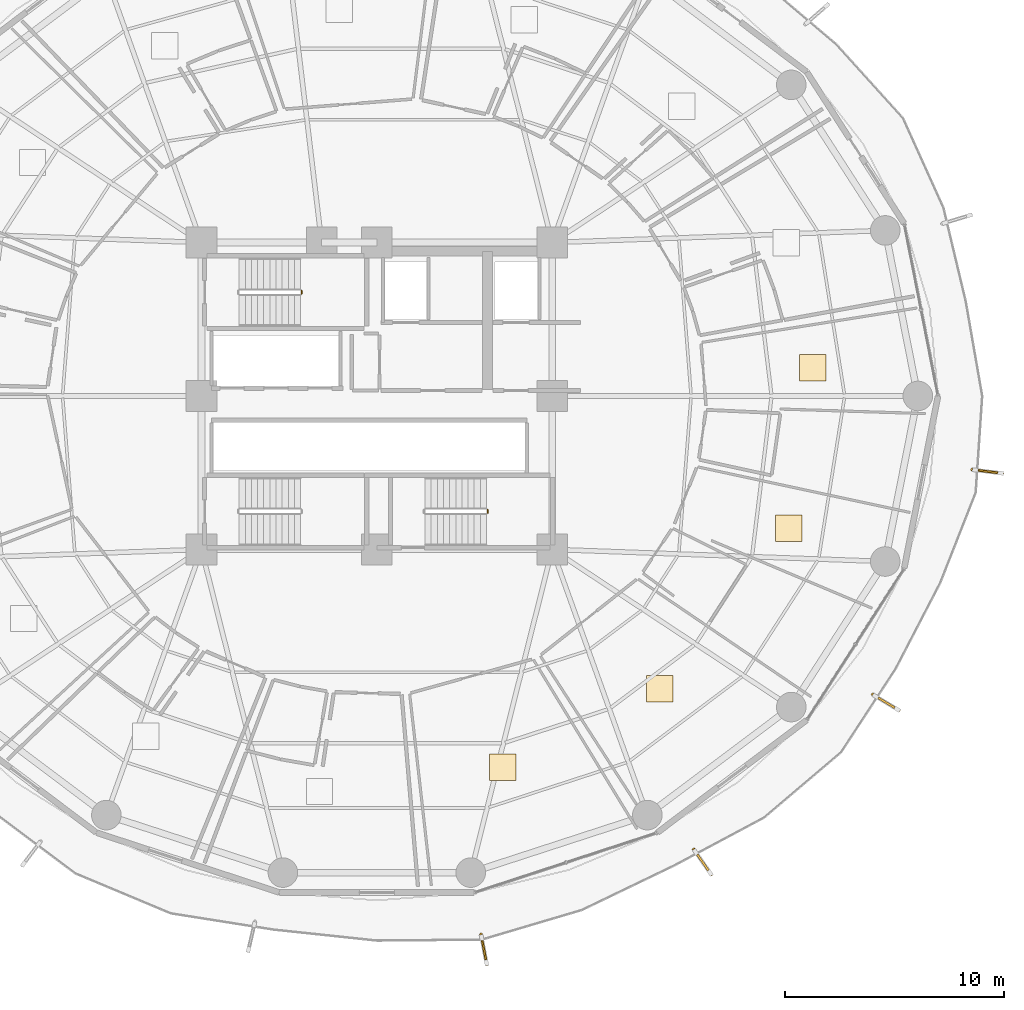
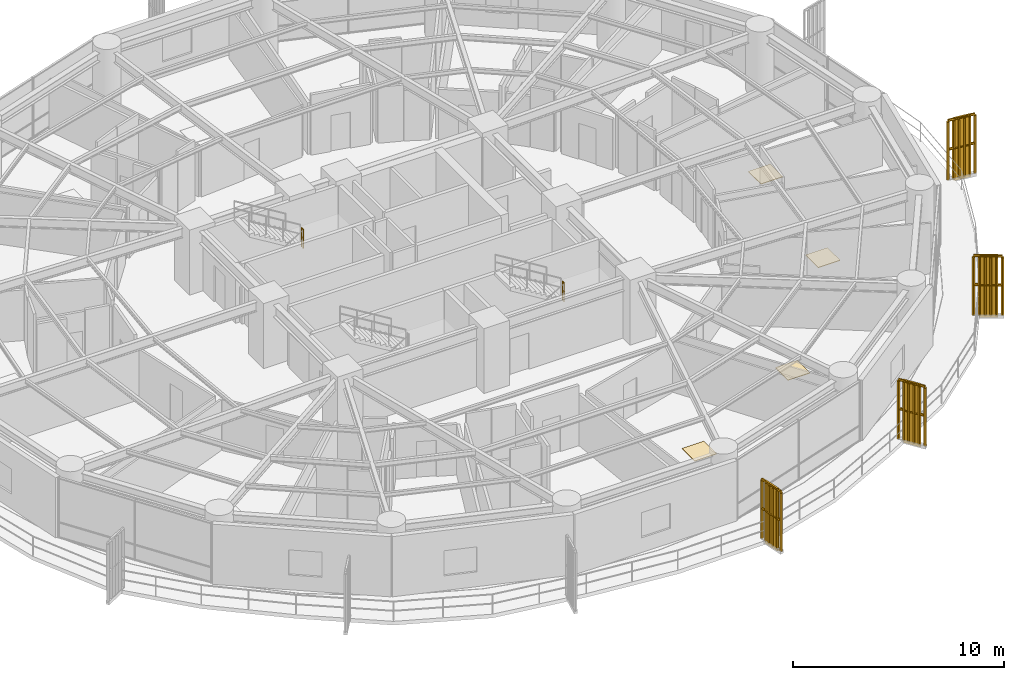
# One storey, part 32 of 33: 6 railings, 4 coverings, 4 shading devices.
"""IFC4 building model written with IfcOpenShell, lengths in metres."""

from ifc_helpers import new_model, si_unit, direction, frame, origin, origin_2d, place, context, subcontext, project, spatial, polyline, rectangle, outline, extrude, source, transform, mapped, material, layer, layer_set, type_object, element, save


model = new_model("IFC4")

# Units and contexts
model_context = context("Model", 3, precision=1e-05, world=origin(), true_north=direction((0.0, 1.0)))
body_context = subcontext(model_context, "Body", "Model", "MODEL_VIEW")
ifc_project = project(units=[si_unit("LENGTHUNIT", "METRE"), si_unit("AREAUNIT", "SQUARE_METRE"), si_unit("VOLUMEUNIT", "CUBIC_METRE"), si_unit("PLANEANGLEUNIT", "RADIAN"), si_unit("MASSUNIT", "GRAM", prefix="KILO")], contexts=[model_context])

# Site, building, storey
site_placement = place(None, origin())
site = spatial("IfcSite", under=ifc_project, at=site_placement, CompositionType="ELEMENT")
building_placement = place(site_placement, origin())
building = spatial("IfcBuilding", under=site, at=building_placement, Name="Kelanora Arch Commons", CompositionType="ELEMENT")
storey_placement = place(building_placement, frame((0.0, 0.0, 80.10009765625)))
storey = spatial("IfcBuildingStorey", under=building, at=storey_placement, Name="L20", CompositionType="ELEMENT", Elevation=80.10009765625)

# Railings
ifc_material_1 = material(Name="Anodised bronze vertical shading fin rib assembly")
railing_type_1 = type_object("IfcRailingType", Name="RAIL-FIN-BRZ", PredefinedType="BALUSTRADE", material=ifc_material_1)
railing_1_placement = place(storey_placement, frame((78.75390625, 33.42236328125, -0.02001953125)))
element("IfcRailing", 1, at=railing_1_placement, inside=storey, type_object=railing_type_1, Name="Sweeping Bronze Vertical Fin Blade L20-10", PredefinedType="BALUSTRADE", context=body_context, shape_type="SweptSolid", body=[
    extrude(outline(polyline([(0.06982421875, 0.0), (0.034912109375, 0.060546875), (-0.034912109375, 0.060546875), (-0.06982421875, 0.0), (-0.034912109375, -0.060546875), (0.034912109375, -0.060546875), (0.06982421875, 0.0)])), frame((0.0, 0.0, 3.419921875), z_axis=(0.189834344723, -0.981816134296, 0.0), x_axis=(0.981816134296, 0.189834344723, 0.0)), (0.0, 0.0, 1.0), 1.3759765625),
    extrude(outline(polyline([(0.06982421875, 0.0), (0.034912109375, 0.060546875), (-0.034912109375, 0.060546875), (-0.06982421875, 0.0), (-0.034912109375, -0.060546875), (0.034912109375, -0.060546875), (0.06982421875, 0.0)])), frame((0.0, 0.0, 1.7451171875), z_axis=(0.189834344723, -0.981816134296, 0.0), x_axis=(0.981816134296, 0.189834344723, 0.0)), (0.0, 0.0, 1.0), 1.3759765625),
    extrude(outline(polyline([(0.080078125, 0.0), (0.0400390625, 0.0693359375), (-0.0400390625, 0.0693359375), (-0.080078125, 0.0), (-0.0400390625, -0.0693359375), (0.0400390625, -0.0693359375), (0.080078125, 0.0)])), origin(), (0.0, 0.0, 1.0), 3.35009765625),
    extrude(outline(polyline([(0.080078125, 0.0), (0.0400390625, 0.0693359375), (-0.0400390625, 0.0693359375), (-0.080078125, 0.0), (-0.0400390625, -0.0693359375), (0.0400390625, -0.0693359375), (0.080078125, 0.0)])), frame((0.05224609375, -0.270263671875, 0.0)), (0.0, 0.0, 1.0), 3.35009765625),
    extrude(outline(polyline([(0.080078125, 0.0), (0.0400390625, 0.0693359375), (-0.0400390625, 0.0693359375), (-0.080078125, 0.0), (-0.0400390625, -0.0693359375), (0.0400390625, -0.0693359375), (0.080078125, 0.0)])), frame((0.1044921875, -0.54052734375, 0.0)), (0.0, 0.0, 1.0), 3.35009765625),
    extrude(outline(polyline([(0.080078125, 0.0), (0.0400390625, 0.0693359375), (-0.0400390625, 0.0693359375), (-0.080078125, 0.0), (-0.0400390625, -0.0693359375), (0.0400390625, -0.0693359375), (0.080078125, 0.0)])), frame((0.15673828125, -0.810546875, 0.0)), (0.0, 0.0, 1.0), 3.35009765625),
    extrude(outline(polyline([(0.080078125, 0.0), (0.0400390625, 0.0693359375), (-0.0400390625, 0.0693359375), (-0.080078125, 0.0), (-0.0400390625, -0.0693359375), (0.0400390625, -0.0693359375), (0.080078125, 0.0)])), frame((0.208984375, -1.080810546875, 0.0)), (0.0, 0.0, 1.0), 3.35009765625),
    extrude(outline(polyline([(0.080078125, 0.0), (0.0400390625, 0.0693359375), (-0.0400390625, 0.0693359375), (-0.080078125, 0.0), (-0.0400390625, -0.0693359375), (0.0400390625, -0.0693359375), (0.080078125, 0.0)])), frame((0.26123046875, -1.35107421875, 0.0)), (0.0, 0.0, 1.0), 3.35009765625),
])
railing_2_placement = place(storey_placement, frame((88.459228515625, 37.309326171875, -0.02001953125)))
element("IfcRailing", 2, at=railing_2_placement, inside=storey, type_object=railing_type_1, Name="Sweeping Bronze Vertical Fin Blade L20-11", PredefinedType="BALUSTRADE", context=body_context, shape_type="SweptSolid", body=[
    extrude(outline(polyline([(0.06982421875, 0.0), (0.034912109375, 0.060546875), (-0.034912109375, 0.060546875), (-0.06982421875, 0.0), (-0.034912109375, -0.060546875), (0.034912109375, -0.060546875), (0.06982421875, 0.0)])), frame((0.0, 0.0, 3.419921875), z_axis=(0.572866847019, -0.819648446339, 0.0), x_axis=(0.819648446339, 0.572866847019, 0.0)), (0.0, 0.0, 1.0), 1.376220703125),
    extrude(outline(polyline([(0.06982421875, 0.0), (0.034912109375, 0.060546875), (-0.034912109375, 0.060546875), (-0.06982421875, 0.0), (-0.034912109375, -0.060546875), (0.034912109375, -0.060546875), (0.06982421875, 0.0)])), frame((0.0, 0.0, 1.7451171875), z_axis=(0.572866847019, -0.819648446339, 0.0), x_axis=(0.819648446339, 0.572866847019, 0.0)), (0.0, 0.0, 1.0), 1.376220703125),
    extrude(outline(polyline([(0.080078125, 0.0), (0.0400390625, 0.0693359375), (-0.0400390625, 0.0693359375), (-0.080078125, 0.0), (-0.0400390625, -0.0693359375), (0.0400390625, -0.0693359375), (0.080078125, 0.0)])), origin(), (0.0, 0.0, 1.0), 3.35009765625),
    extrude(outline(polyline([(0.080078125, 0.0), (0.0400390625, 0.0693359375), (-0.0400390625, 0.0693359375), (-0.080078125, 0.0), (-0.0400390625, -0.0693359375), (0.0400390625, -0.0693359375), (0.080078125, 0.0)])), frame((0.15771484375, -0.2255859375, 0.0)), (0.0, 0.0, 1.0), 3.35009765625),
    extrude(outline(polyline([(0.080078125, 0.0), (0.0400390625, 0.0693359375), (-0.0400390625, 0.0693359375), (-0.080078125, 0.0), (-0.0400390625, -0.0693359375), (0.0400390625, -0.0693359375), (0.080078125, 0.0)])), frame((0.3154296875, -0.451171875, 0.0)), (0.0, 0.0, 1.0), 3.35009765625),
    extrude(outline(polyline([(0.080078125, 0.0), (0.0400390625, 0.0693359375), (-0.0400390625, 0.0693359375), (-0.080078125, 0.0), (-0.0400390625, -0.0693359375), (0.0400390625, -0.0693359375), (0.080078125, 0.0)])), frame((0.472900390625, -0.6767578125, 0.0)), (0.0, 0.0, 1.0), 3.35009765625),
    extrude(outline(polyline([(0.080078125, 0.0), (0.0400390625, 0.0693359375), (-0.0400390625, 0.0693359375), (-0.080078125, 0.0), (-0.0400390625, -0.0693359375), (0.0400390625, -0.0693359375), (0.080078125, 0.0)])), frame((0.630615234375, -0.90234375, 0.0)), (0.0, 0.0, 1.0), 3.35009765625),
    extrude(outline(polyline([(0.080078125, 0.0), (0.0400390625, 0.0693359375), (-0.0400390625, 0.0693359375), (-0.080078125, 0.0), (-0.0400390625, -0.0693359375), (0.0400390625, -0.0693359375), (0.080078125, 0.0)])), frame((0.788330078125, -1.1279296875, 0.0)), (0.0, 0.0, 1.0), 3.35009765625),
])
railing_3_placement = place(storey_placement, frame((96.62841796875, 44.375, -0.02001953125)))
element("IfcRailing", 3, at=railing_3_placement, inside=storey, type_object=railing_type_1, Name="Sweeping Bronze Vertical Fin Blade L20-12", PredefinedType="BALUSTRADE", context=body_context, shape_type="SweptSolid", body=[
    extrude(outline(polyline([(0.06982421875, 0.0), (0.034912109375, 0.060546875), (-0.034912109375, 0.060546875), (-0.06982421875, 0.0), (-0.034912109375, -0.060546875), (0.034912109375, -0.060546875), (0.06982421875, 0.0)])), frame((0.0, 0.0, 3.419921875), z_axis=(0.856662207395, -0.515877759185, 0.0), x_axis=(0.515877759185, 0.856662207395, 0.0)), (0.0, 0.0, 1.0), 1.376220703125),
    extrude(outline(polyline([(0.06982421875, 0.0), (0.034912109375, 0.060546875), (-0.034912109375, 0.060546875), (-0.06982421875, 0.0), (-0.034912109375, -0.060546875), (0.034912109375, -0.060546875), (0.06982421875, 0.0)])), frame((0.0, 0.0, 1.7451171875), z_axis=(0.856662207395, -0.515877759185, 0.0), x_axis=(0.515877759185, 0.856662207395, 0.0)), (0.0, 0.0, 1.0), 1.376220703125),
    extrude(outline(polyline([(0.080078125, 0.0), (0.0400390625, 0.0693359375), (-0.0400390625, 0.0693359375), (-0.080078125, 0.0), (-0.0400390625, -0.0693359375), (0.0400390625, -0.0693359375), (0.080078125, 0.0)])), origin(), (0.0, 0.0, 1.0), 3.35009765625),
    extrude(outline(polyline([(0.080078125, 0.0), (0.0400390625, 0.0693359375), (-0.0400390625, 0.0693359375), (-0.080078125, 0.0), (-0.0400390625, -0.0693359375), (0.0400390625, -0.0693359375), (0.080078125, 0.0)])), frame((0.23583984375, -0.14208984375, 0.0)), (0.0, 0.0, 1.0), 3.35009765625),
    extrude(outline(polyline([(0.080078125, 0.0), (0.0400390625, 0.0693359375), (-0.0400390625, 0.0693359375), (-0.080078125, 0.0), (-0.0400390625, -0.0693359375), (0.0400390625, -0.0693359375), (0.080078125, 0.0)])), frame((0.4716796875, -0.283935546875, 0.0)), (0.0, 0.0, 1.0), 3.35009765625),
    extrude(outline(polyline([(0.080078125, 0.0), (0.0400390625, 0.0693359375), (-0.0400390625, 0.0693359375), (-0.080078125, 0.0), (-0.0400390625, -0.0693359375), (0.0400390625, -0.0693359375), (0.080078125, 0.0)])), frame((0.707275390625, -0.426025390625, 0.0)), (0.0, 0.0, 1.0), 3.35009765625),
    extrude(outline(polyline([(0.080078125, 0.0), (0.0400390625, 0.0693359375), (-0.0400390625, 0.0693359375), (-0.080078125, 0.0), (-0.0400390625, -0.0693359375), (0.0400390625, -0.0693359375), (0.080078125, 0.0)])), frame((0.943115234375, -0.56787109375, 0.0)), (0.0, 0.0, 1.0), 3.35009765625),
    extrude(outline(polyline([(0.080078125, 0.0), (0.0400390625, 0.0693359375), (-0.0400390625, 0.0693359375), (-0.080078125, 0.0), (-0.0400390625, -0.0693359375), (0.0400390625, -0.0693359375), (0.080078125, 0.0)])), frame((1.178955078125, -0.7099609375, 0.0)), (0.0, 0.0, 1.0), 3.35009765625),
])
railing_4_placement = place(storey_placement, frame((101.164794921875, 54.63916015625, -0.02001953125)))
element("IfcRailing", 4, at=railing_4_placement, inside=storey, type_object=railing_type_1, Name="Sweeping Bronze Vertical Fin Blade L20-13", PredefinedType="BALUSTRADE", context=body_context, shape_type="SweptSolid", body=[
    extrude(outline(polyline([(0.06982421875, 0.0), (0.034912109375, 0.060546875), (-0.034912109375, 0.060546875), (-0.06982421875, 0.0), (-0.034912109375, -0.060546875), (0.034912109375, -0.060546875), (0.06982421875, 0.0)])), frame((0.0, 0.0, 3.419921875), z_axis=(0.992435373457, -0.122768194214, 0.0), x_axis=(0.122768194214, 0.992435373457, 0.0)), (0.0, 0.0, 1.0), 1.376220703125),
    extrude(outline(polyline([(0.06982421875, 0.0), (0.034912109375, 0.060546875), (-0.034912109375, 0.060546875), (-0.06982421875, 0.0), (-0.034912109375, -0.060546875), (0.034912109375, -0.060546875), (0.06982421875, 0.0)])), frame((0.0, 0.0, 1.7451171875), z_axis=(0.992435373457, -0.122768194214, 0.0), x_axis=(0.122768194214, 0.992435373457, 0.0)), (0.0, 0.0, 1.0), 1.376220703125),
    extrude(outline(polyline([(0.080078125, 0.0), (0.0400390625, 0.0693359375), (-0.0400390625, 0.0693359375), (-0.080078125, 0.0), (-0.0400390625, -0.0693359375), (0.0400390625, -0.0693359375), (0.080078125, 0.0)])), origin(), (0.0, 0.0, 1.0), 3.35009765625),
    extrude(outline(polyline([(0.080078125, 0.0), (0.0400390625, 0.0693359375), (-0.0400390625, 0.0693359375), (-0.080078125, 0.0), (-0.0400390625, -0.0693359375), (0.0400390625, -0.0693359375), (0.080078125, 0.0)])), frame((0.273193359375, -0.03369140625, 0.0)), (0.0, 0.0, 1.0), 3.35009765625),
    extrude(outline(polyline([(0.080078125, 0.0), (0.0400390625, 0.0693359375), (-0.0400390625, 0.0693359375), (-0.080078125, 0.0), (-0.0400390625, -0.0693359375), (0.0400390625, -0.0693359375), (0.080078125, 0.0)])), frame((0.54638671875, -0.067626953125, 0.0)), (0.0, 0.0, 1.0), 3.35009765625),
    extrude(outline(polyline([(0.080078125, 0.0), (0.0400390625, 0.0693359375), (-0.0400390625, 0.0693359375), (-0.080078125, 0.0), (-0.0400390625, -0.0693359375), (0.0400390625, -0.0693359375), (0.080078125, 0.0)])), frame((0.8193359375, -0.101318359375, 0.0)), (0.0, 0.0, 1.0), 3.35009765625),
    extrude(outline(polyline([(0.080078125, 0.0), (0.0400390625, 0.0693359375), (-0.0400390625, 0.0693359375), (-0.080078125, 0.0), (-0.0400390625, -0.0693359375), (0.0400390625, -0.0693359375), (0.080078125, 0.0)])), frame((1.092529296875, -0.13525390625, 0.0)), (0.0, 0.0, 1.0), 3.35009765625),
    extrude(outline(polyline([(0.080078125, 0.0), (0.0400390625, 0.0693359375), (-0.0400390625, 0.0693359375), (-0.080078125, 0.0), (-0.0400390625, -0.0693359375), (0.0400390625, -0.0693359375), (0.080078125, 0.0)])), frame((1.36572265625, -0.1689453125, 0.0)), (0.0, 0.0, 1.0), 3.35009765625),
])
ifc_material_2 = material(Name="Painted steel stair well guard", Category="steel")
railing_type_2 = type_object("IfcRailingType", Name="RAIL-STAIR-GRD", PredefinedType="GUARDRAIL", material=ifc_material_2)
for number, where, name in (
    (5, (70.570068359375, 62.659912109375, 1.875), "L20 ST-T1 stair guard 2"),
    (6, (79.050048828125, 52.659912109375, 1.875), "L20 ST-T2 stair guard 2"),
):
    element("IfcRailing", number, at=place(storey_placement, frame(where)), inside=storey, type_object=railing_type_2, Name=name, PredefinedType="GUARDRAIL", context=body_context, shape_type="SweptSolid", body=[
        extrude(outline(polyline([(0.02392578125, 0.0), (0.011962890625, 0.020751953125), (-0.011962890625, 0.020751953125), (-0.02392578125, 0.0), (-0.011962890625, -0.020751953125), (0.011962890625, -0.020751953125), (0.02392578125, 0.0)])), frame((0.0, 0.0, 1.076171875), z_axis=(0.0, 1.0, 0.0), x_axis=(-1.0, 0.0, 0.0)), (0.0, 0.0, 1.0), 0.150146484375),
        extrude(outline(polyline([(0.02392578125, 0.0), (0.011962890625, 0.020751953125), (-0.011962890625, 0.020751953125), (-0.02392578125, 0.0), (-0.011962890625, -0.020751953125), (0.011962890625, -0.020751953125), (0.02392578125, 0.0)])), frame((0.0, 0.0, 0.550048828125), z_axis=(0.0, 1.0, 0.0), x_axis=(-1.0, 0.0, 0.0)), (0.0, 0.0, 1.0), 0.150146484375),
        extrude(outline(polyline([(0.02099609375, 0.0), (0.010498046875, 0.01806640625), (-0.010498046875, 0.01806640625), (-0.02099609375, 0.0), (-0.010498046875, -0.01806640625), (0.010498046875, -0.01806640625), (0.02099609375, 0.0)])), origin(), (0.0, 0.0, 1.0), 1.052001953125),
        extrude(outline(polyline([(0.02099609375, 0.0), (0.010498046875, 0.01806640625), (-0.010498046875, 0.01806640625), (-0.02099609375, 0.0), (-0.010498046875, -0.01806640625), (0.010498046875, -0.01806640625), (0.02099609375, 0.0)])), frame((0.0, 0.150146484375, 0.0)), (0.0, 0.0, 1.0), 1.052001953125),
    ])

# Shading devices
ifc_material_3 = material(Name="Terracotta ceramic-clad extruded aluminium fin", Category="masonry")
shading_device_type = type_object("IfcShadingDeviceType", Name="SHD-FIN-FLARE", PredefinedType="USERDEFINED", material=ifc_material_3)
shared_shape_1 = source(origin(), body_context, "Body", "SweptSolid", [
    extrude(rectangle(XDim=0.8798828125, YDim=0.090087890625, at=origin_2d()), origin(), (0.0, 0.0, 1.0), 3.610107421875),
])
for number, where, z_axis, x_axis, name in (
    (7, (78.890625, 32.71533203125, -0.14013671875), (0.0, 0.0, 1.0), (0.189952291512, -0.981793321911, 0.0), "Sweeping Terracotta Fin L20-10"),
    (8, (88.87158203125, 36.71923828125, -0.14013671875), (0.0, 0.0, 1.0), (0.572861373028, -0.819652272182, 0.0), "Sweeping Terracotta Fin L20-11"),
    (9, (97.2451171875, 44.003662109375, -0.14013671875), (0.0, 0.0, 1.0), (0.856717518865, -0.515785898285, 0.0), "Sweeping Terracotta Fin L20-12"),
    (10, (101.879150390625, 54.55078125, -0.14013671875), (0.0, 0.0, 1.0), (0.992439422656, -0.122735456807, 0.0), "Sweeping Terracotta Fin L20-13"),
):
    element("IfcShadingDevice", number, at=place(storey_placement, frame(where, z_axis=z_axis, x_axis=x_axis)), inside=storey, type_object=shading_device_type, Name=name, ObjectType="FIN", PredefinedType="USERDEFINED", context=body_context, shape_type="MappedRepresentation", body=[
        mapped(shared_shape_1, transform((0.0, 0.0, 0.0), scale=1.0)),
    ])

# Coverings
ifc_material_4 = material(Name="Polished local granite terrazzo flooring", Category="masonry")
ifc_layer = layer(ifc_material_4, 0.030029296875)
ifc_layer_set = layer_set([ifc_layer], Name="Polished local granite terrazzo flooring")
covering_type = type_object("IfcCoveringType", Name="COV-FLR-TER", PredefinedType="FLOORING", material=ifc_layer_set)
shared_shape_2 = source(origin(), body_context, "Body", "SweptSolid", [
    extrude(rectangle(XDim=1.199951171875, YDim=1.199951171875, at=origin_2d()), origin(), (0.0, 0.0, 1.0), 0.030029296875),
])
for number, where, z_axis, x_axis, name in (
    (11, (79.75, 41.068603515625, 0.0), (0.0, 0.0, 1.0), (1.0, 0.0, 0.0), "Quiet Seminar Study Room L20-12 Terrazzo Finish"),
    (12, (86.902099609375, 44.637939453125, 0.0), (0.0, 0.0, 1.0), (1.0, 0.0, 0.0), "Quiet Seminar Study Room L20-13 Terrazzo Finish"),
    (13, (92.788818359375, 51.968017578125, 0.0), (0.0, 0.0, 1.0), (1.0, 0.0, 0.0), "Quiet Reading Carrel L20-14 Terrazzo Finish"),
    (14, (93.886962890625, 59.290283203125, 0.0), (0.0, 0.0, 1.0), (1.0, 0.0, 0.0), "Tutorial Study Alcove L20-15 Terrazzo Finish"),
):
    element("IfcCovering", number, at=place(storey_placement, frame(where, z_axis=z_axis, x_axis=x_axis)), inside=storey, type_object=covering_type, Name=name, PredefinedType="FLOORING", context=body_context, shape_type="MappedRepresentation", body=[
        mapped(shared_shape_2, transform((0.0, 0.0, 0.0), scale=1.0)),
    ])

save(model, "model.ifc")
